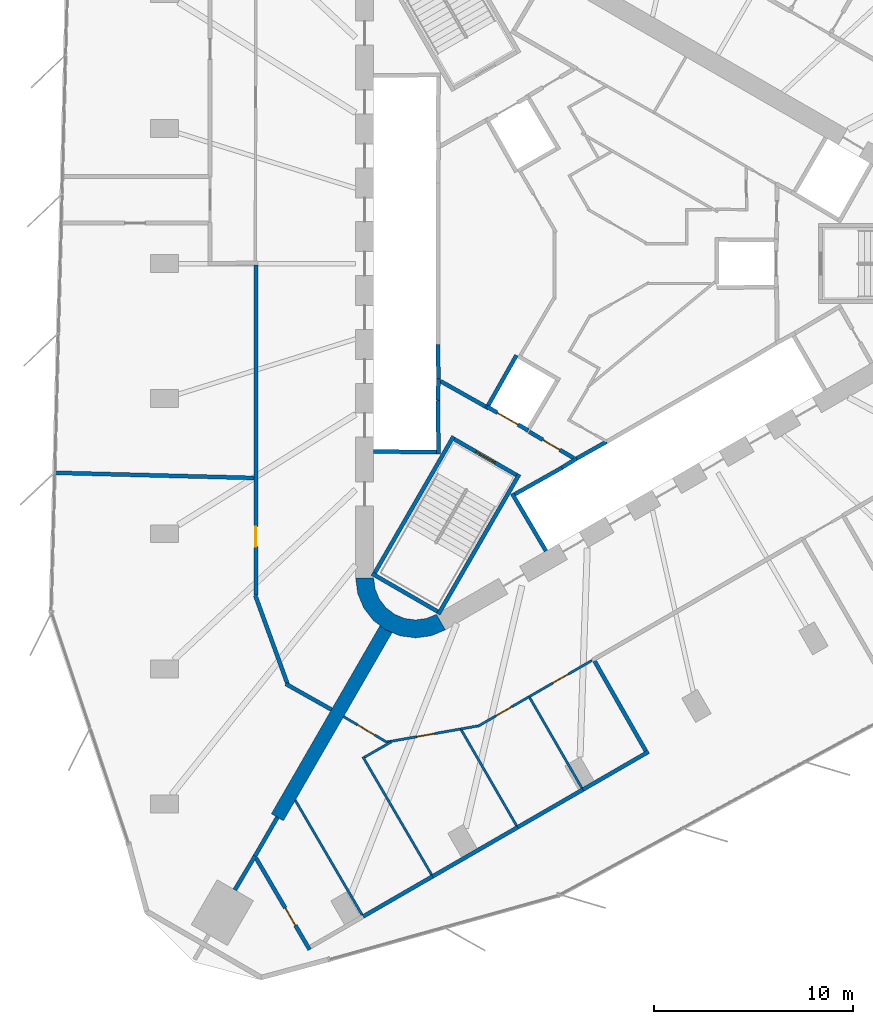
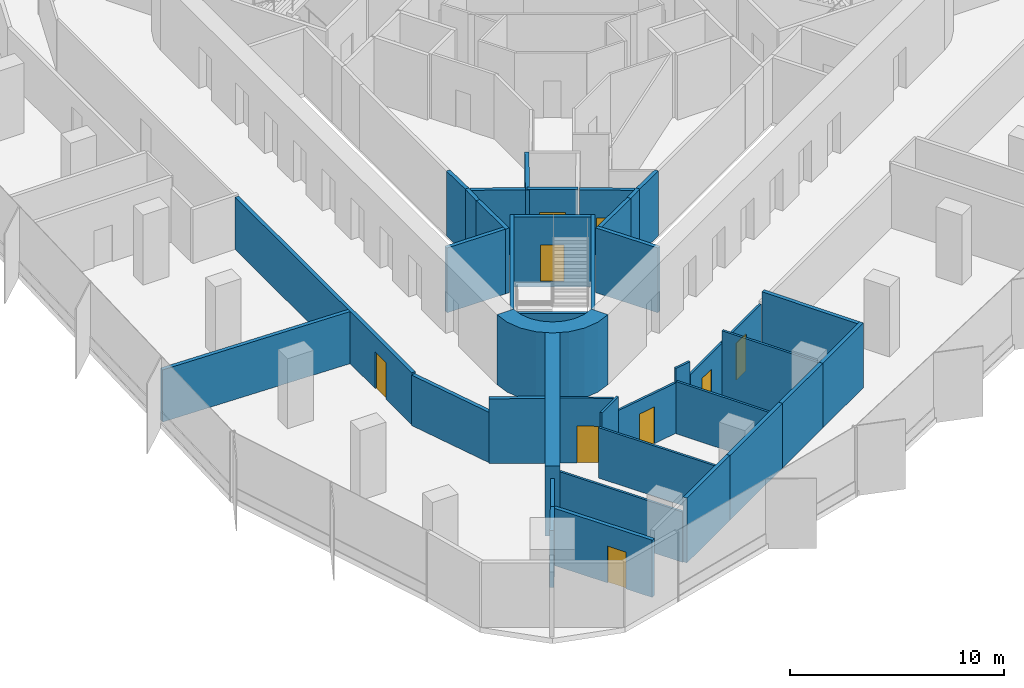
# One storey, part 8 of 14: 40 walls, 9 doors, 9 openings.
"""IFC4 building model written with IfcOpenShell, lengths in metres."""

from ifc_helpers import new_model, si_unit, direction, frame, frame_2d, origin, place, context, subcontext, project, spatial, polyline, rectangle, outline, extrude, material, layer, layer_set, type_object, element, fill, save


model = new_model("IFC4")

# Units and contexts
model_context = context("Model", 3, precision=1e-05, world=origin(), true_north=direction((0.0, 1.0)))
body_context = subcontext(model_context, "Body", "Model", "MODEL_VIEW")
ifc_project = project(units=[si_unit("LENGTHUNIT", "METRE"), si_unit("AREAUNIT", "SQUARE_METRE"), si_unit("VOLUMEUNIT", "CUBIC_METRE"), si_unit("PLANEANGLEUNIT", "RADIAN"), si_unit("MASSUNIT", "GRAM", prefix="KILO")], contexts=[model_context])

# Site, building, storey
site_placement = place(None, origin())
site = spatial("IfcSite", under=ifc_project, at=site_placement, CompositionType="ELEMENT")
building_placement = place(site_placement, origin())
building = spatial("IfcBuilding", under=site, at=building_placement, Name="Tanit Gate Tower", CompositionType="ELEMENT")
storey_placement = place(building_placement, frame((0.0, 0.0, 249.199951171875)))
storey = spatial("IfcBuildingStorey", under=building, at=storey_placement, Name="L56", CompositionType="ELEMENT", Elevation=249.199951171875)

# Walls
ifc_material_1 = material(Name="Concrete C50/60", Category="concrete")
ifc_layer_1 = layer(ifc_material_1, 0.699951171875)
ifc_layer_set_1 = layer_set([ifc_layer_1], Name="BUTTRESS FIN 700 C50/60")
wall_type_1 = type_object("IfcWallType", Name="BUTTRESS FIN 700 C50/60", PredefinedType="SHEAR", material=ifc_layer_set_1)
wall_1_placement = place(storey_placement, frame((-10.574951171875, -18.31640625, 0.0), z_axis=(0.0, 0.0, 1.0), x_axis=(-0.500002931134, -0.866023711487, 0.0)))
element("IfcWall", 1, at=wall_1_placement, inside=storey, type_object=wall_type_1, Name="BUTTRESS FIN", PredefinedType="SHEAR", context=body_context, shape_type="SweptSolid", body=[
    extrude(rectangle(XDim=10.900390625, YDim=0.699951171875, at=frame_2d((5.4501953125, 0.0))), origin(), (0.0, 0.0, 1.0), 4.0),
])
ifc_material_2 = material(Name="Concrete C50/60", Category="concrete")
ifc_layer_2 = layer(ifc_material_2, 0.89990234375)
ifc_layer_set_2 = layer_set([ifc_layer_2], Name="CORE WALL 900 C50/60")
wall_type_2 = type_object("IfcWallType", Name="CORE WALL 900 C50/60", PredefinedType="SHEAR", material=ifc_layer_set_2)
wall_2_placement = place(storey_placement, origin())
element("IfcWall", 2, at=wall_2_placement, inside=storey, type_object=wall_type_2, Name="CORE WALL CORNER", PredefinedType="SHEAR", context=body_context, shape_type="SweptSolid", body=[
    extrude(outline(polyline([(-12.10009765625, -15.76171875), (-11.997802734375, -16.5380859375), (-11.697998046875, -17.26171875), (-11.22119140625, -17.883056640625), (-10.60009765625, -18.359619140625), (-9.87646484375, -18.659423828125), (-9.10009765625, -18.76171875), (-8.323486328125, -18.659423828125), (-7.60009765625, -18.359619140625), (-8.050048828125, -17.580322265625), (-8.556396484375, -17.7900390625), (-9.10009765625, -17.86181640625), (-9.6435546875, -17.7900390625), (-10.14990234375, -17.580322265625), (-10.5849609375, -17.24658203125), (-10.918701171875, -16.811767578125), (-11.12841796875, -16.30517578125), (-11.199951171875, -15.76171875), (-12.10009765625, -15.76171875)])), origin(), (0.0, 0.0, 1.0), 4.0),
])
ifc_material_3 = material(Name="Fire-rated gypsum board partition")
ifc_layer_3 = layer(ifc_material_3, 0.199951171875)
ifc_layer_set_3 = layer_set([ifc_layer_3], Name="INT-WALL-COMPARTMENT")
wall_type_3 = type_object("IfcWallType", Name="INT-WALL-COMPARTMENT", PredefinedType="PARTITIONING", material=ifc_layer_set_3)
wall_3_placement = place(storey_placement, frame((-7.84912109375, -5.893798828125, 0.0), z_axis=(0.0, 0.0, 1.0), x_axis=(0.871340486379, -0.490678873396, 0.0)))
element("IfcWall", 3, at=wall_3_placement, inside=storey, type_object=wall_type_3, Name="Wall Compartment W063", PredefinedType="PARTITIONING", context=body_context, shape_type="SweptSolid", body=[
    extrude(rectangle(XDim=2.580810546875, YDim=0.199951171875, at=frame_2d((1.29052734375, 0.0))), origin(), (0.0, 0.0, 1.0), 3.699951171875),
])

# Wall, opening, door
wall_4_placement = place(storey_placement, frame((-3.400634765625, -8.43017578125, 0.0), z_axis=(0.0, 0.0, 1.0), x_axis=(0.860598681535, -0.509283721849, 0.0)))
wall_4 = element("IfcWall", 4, at=wall_4_placement, inside=storey, type_object=wall_type_3, Name="Wall Compartment W064", PredefinedType="PARTITIONING", context=body_context, shape_type="SweptSolid", body=[
    extrude(rectangle(XDim=2.5810546875, YDim=0.199951171875, at=frame_2d((1.29052734375, 0.0))), origin(), (0.0, 0.0, 1.0), 3.699951171875),
])
opening_1_placement = place(wall_4_placement, frame((0.79052734375, 0.0, 0.0)))
opening_1 = element("IfcOpeningElement", 5, at=opening_1_placement, cuts=wall_4, Name="Opening F10-S15-08", PredefinedType="OPENING", context=body_context, shape_type="SweptSolid", body=[
    extrude(rectangle(XDim=1.0, YDim=2.10009765625, at=frame_2d((0.5, 1.050048828125))), frame((0.0, 0.10986328125, 0.0), z_axis=(0.0, -1.0, 0.0), x_axis=(1.0, 0.0, 0.0)), (0.0, 0.0, 1.0), 0.219970703125),
])
ifc_material_4 = material(Name="Fire-rated steel door leaf", Category="steel")
door_type_1 = type_object("IfcDoorType", Name="INT-DOOR-FIRE-1000", OperationType="NOTDEFINED", PredefinedType="USERDEFINED", material=ifc_material_4)
door_1_placement = place(opening_1_placement, origin())
door_1 = element("IfcDoor", 6, at=door_1_placement, inside=storey, type_object=door_type_1, Name="Door F10-S15-08", ObjectType="FIRE DOOR", OperationType="SINGLE_SWING_LEFT", OverallHeight=2.10009765625, OverallWidth=1.0, PredefinedType="USERDEFINED", context=body_context, shape_type="SweptSolid", body=[
    extrude(rectangle(XDim=1.0, YDim=2.10009765625, at=frame_2d((0.5, 1.050048828125))), frame((0.0, 0.02490234375, 0.0), z_axis=(0.0, -1.0, 0.0), x_axis=(1.0, 0.0, 0.0)), (0.0, 0.0, 1.0), 0.050048828125),
])
fill(opening_1, door_1)

# Walls
wall_5_placement = place(storey_placement, frame((-15.597900390625, -21.071533203125, 0.0), z_axis=(0.0, 0.0, 1.0), x_axis=(0.871234731294, -0.490866624438, 0.0)))
element("IfcWall", 7, at=wall_5_placement, inside=storey, type_object=wall_type_3, Name="Wall Compartment W098", PredefinedType="PARTITIONING", context=body_context, shape_type="SweptSolid", body=[
    extrude(rectangle(XDim=2.62255859375, YDim=0.199951171875, at=frame_2d((1.311279296875, 0.0))), origin(), (0.0, 0.0, 1.0), 3.699951171875),
])
wall_6_placement = place(storey_placement, frame((-17.13427734375, -16.628662109375, 0.0), z_axis=(0.0, 0.0, 1.0), x_axis=(0.342036655594, -0.939686610647, 0.0)))
element("IfcWall", 8, at=wall_6_placement, inside=storey, type_object=wall_type_3, Name="Wall Compartment W099", PredefinedType="PARTITIONING", context=body_context, shape_type="SweptSolid", body=[
    extrude(rectangle(XDim=4.740234375, YDim=0.199951171875, at=frame_2d((2.3701171875, 0.0))), origin(), (0.0, 0.0, 1.0), 2.880126953125),
])

# Wall, opening, door
wall_7_placement = place(storey_placement, frame((-17.10009765625, -0.070068359375, 0.0), z_axis=(0.0, 0.0, 1.0), x_axis=(0.0, -1.0, 0.0)))
wall_7 = element("IfcWall", 9, at=wall_7_placement, inside=storey, type_object=wall_type_3, Name="Wall Compartment W101", PredefinedType="PARTITIONING", context=body_context, shape_type="SweptSolid", body=[
    extrude(rectangle(XDim=16.552490234375, YDim=0.199951171875, at=frame_2d((8.2763671875, 0.0))), origin(), (0.0, 0.0, 1.0), 2.97998046875),
])
opening_2_placement = place(wall_7_placement, frame((13.115478515625, 0.0, 0.0)))
opening_2 = element("IfcOpeningElement", 10, at=opening_2_placement, cuts=wall_7, Name="Opening F10-S15-31", PredefinedType="OPENING", context=body_context, shape_type="SweptSolid", body=[
    extrude(rectangle(XDim=1.0, YDim=2.10009765625, at=frame_2d((0.5, 1.050048828125))), frame((0.0, 0.10986328125, 0.0), z_axis=(0.0, -1.0, 0.0), x_axis=(1.0, 0.0, 0.0)), (0.0, 0.0, 1.0), 0.219970703125),
])
door_2_placement = place(opening_2_placement, origin())
door_2 = element("IfcDoor", 11, at=door_2_placement, inside=storey, type_object=door_type_1, Name="Door F10-S15-31", ObjectType="FIRE DOOR", OperationType="SINGLE_SWING_LEFT", OverallHeight=2.10009765625, OverallWidth=1.0, PredefinedType="USERDEFINED", context=body_context, shape_type="SweptSolid", body=[
    extrude(rectangle(XDim=1.0, YDim=2.10009765625, at=frame_2d((0.5, 1.050048828125))), frame((0.0, 0.02490234375, 0.0), z_axis=(0.0, -1.0, 0.0), x_axis=(1.0, 0.0, 0.0)), (0.0, 0.0, 1.0), 0.050048828125),
])
fill(opening_2, door_2)

# Walls
wall_8_placement = place(storey_placement, frame((-17.199951171875, -10.745849609375, 0.0), z_axis=(0.0, 0.0, 1.0), x_axis=(-0.9996635128, 0.025939567783, 0.0)))
element("IfcWall", 12, at=wall_8_placement, inside=storey, type_object=wall_type_3, Name="Wall Compartment W125", PredefinedType="PARTITIONING", context=body_context, shape_type="SweptSolid", body=[
    extrude(rectangle(XDim=9.986083984375, YDim=0.199951171875, at=frame_2d((4.9931640625, 0.0))), origin(), (0.0, 0.0, 1.0), 2.97998046875),
])
wall_9_placement = place(storey_placement, frame((-17.148681640625, -29.7021484375, 0.0), z_axis=(0.0, 0.0, 1.0), x_axis=(0.500042241774, 0.866001014111, 0.0)))
element("IfcWall", 13, at=wall_9_placement, inside=storey, type_object=wall_type_3, Name="Wall Compartment W128", PredefinedType="PARTITIONING", context=body_context, shape_type="SweptSolid", body=[
    extrude(rectangle(XDim=2.246826171875, YDim=0.199951171875, at=frame_2d((1.12353515625, 0.0))), origin(), (0.0, 0.0, 1.0), 3.27001953125),
])
wall_10_placement = place(storey_placement, frame((-18.160888671875, -31.3955078125, 0.0), z_axis=(0.0, 0.0, 1.0), x_axis=(0.512692976909, 0.858572018778, 0.0)))
element("IfcWall", 14, at=wall_10_placement, inside=storey, type_object=wall_type_3, Name="Wall Compartment W127", PredefinedType="PARTITIONING", context=body_context, shape_type="SweptSolid", body=[
    extrude(rectangle(XDim=1.972900390625, YDim=0.199951171875, at=frame_2d((0.986328125, 0.0))), origin(), (0.0, 0.0, 1.0), 3.27001953125),
])
wall_11_placement = place(storey_placement, frame((2.579833984375, -24.46826171875, 0.0), z_axis=(0.0, 0.0, 1.0), x_axis=(-0.866042353438, -0.49997064119, 0.0)))
element("IfcWall", 15, at=wall_11_placement, inside=storey, type_object=wall_type_3, Name="Wall Compartment W145", PredefinedType="PARTITIONING", context=body_context, shape_type="SweptSolid", body=[
    extrude(rectangle(XDim=3.803466796875, YDim=0.199951171875, at=frame_2d((1.90185546875, 0.0))), origin(), (0.0, 0.0, 1.0), 3.699951171875),
])
wall_12_placement = place(storey_placement, frame((-0.714111328125, -26.369873046875, 0.0), z_axis=(0.0, 0.0, 1.0), x_axis=(-0.866008069365, -0.500030022893, 0.0)))
element("IfcWall", 16, at=wall_12_placement, inside=storey, type_object=wall_type_3, Name="Wall Compartment W147", PredefinedType="PARTITIONING", context=body_context, shape_type="SweptSolid", body=[
    extrude(rectangle(XDim=3.779052734375, YDim=0.199951171875, at=frame_2d((1.8896484375, 0.0))), origin(), (0.0, 0.0, 1.0), 3.699951171875),
])
wall_13_placement = place(storey_placement, frame((-3.98681640625, -28.259521484375, 0.0), z_axis=(0.0, 0.0, 1.0), x_axis=(-0.866025160694, -0.500000421045, 0.0)))
element("IfcWall", 17, at=wall_13_placement, inside=storey, type_object=wall_type_3, Name="Wall Compartment W148", PredefinedType="PARTITIONING", context=body_context, shape_type="SweptSolid", body=[
    extrude(rectangle(XDim=4.91650390625, YDim=0.199951171875, at=frame_2d((2.458251953125, 0.0))), origin(), (0.0, 0.0, 1.0), 3.699951171875),
])
wall_14_placement = place(storey_placement, frame((-8.24462890625, -30.7177734375, 0.0), z_axis=(0.0, 0.0, 1.0), x_axis=(-0.866039076139, -0.49997631804, 0.0)))
element("IfcWall", 18, at=wall_14_placement, inside=storey, type_object=wall_type_3, Name="Wall Compartment W149", PredefinedType="PARTITIONING", context=body_context, shape_type="SweptSolid", body=[
    extrude(rectangle(XDim=4.023681640625, YDim=0.199951171875, at=frame_2d((2.01171875, 0.0))), origin(), (0.0, 0.0, 1.0), 3.699951171875),
])
wall_15_placement = place(storey_placement, frame((2.443603515625, -24.431396484375, 0.0), z_axis=(0.0, 0.0, 1.0), x_axis=(-0.495153952563, 0.86880525048, 0.0)))
element("IfcWall", 19, at=wall_15_placement, inside=storey, type_object=wall_type_3, Name="Wall Compartment W146", PredefinedType="PARTITIONING", context=body_context, shape_type="SweptSolid", body=[
    extrude(rectangle(XDim=5.18017578125, YDim=0.199951171875, at=frame_2d((2.590087890625, 0.0))), origin(), (0.0, 0.0, 1.0), 3.699951171875),
])

# Wall, opening, door
wall_16_placement = place(storey_placement, frame((-17.092529296875, -29.803466796875, 0.0), z_axis=(0.0, 0.0, 1.0), x_axis=(0.504838763147, -0.863213660239, 0.0)))
wall_16 = element("IfcWall", 20, at=wall_16_placement, inside=storey, type_object=wall_type_3, Name="Wall Compartment W150", PredefinedType="PARTITIONING", context=body_context, shape_type="SweptSolid", body=[
    extrude(rectangle(XDim=5.315673828125, YDim=0.199951171875, at=frame_2d((2.65771484375, 0.0))), origin(), (0.0, 0.0, 1.0), 3.27001953125),
])
opening_3_placement = place(wall_16_placement, frame((2.89990234375, 0.0, 0.0)))
opening_3 = element("IfcOpeningElement", 21, at=opening_3_placement, cuts=wall_16, Name="Opening F10-S15-30", PredefinedType="OPENING", context=body_context, shape_type="SweptSolid", body=[
    extrude(rectangle(XDim=1.0, YDim=2.10009765625, at=frame_2d((0.5, 1.050048828125))), frame((0.0, 0.10986328125, 0.0), z_axis=(0.0, -1.0, 0.0), x_axis=(1.0, 0.0, 0.0)), (0.0, 0.0, 1.0), 0.219970703125),
])
door_3_placement = place(opening_3_placement, origin())
door_3 = element("IfcDoor", 22, at=door_3_placement, inside=storey, type_object=door_type_1, Name="Door F10-S15-30", ObjectType="FIRE DOOR", OperationType="SINGLE_SWING_RIGHT", OverallHeight=2.10009765625, OverallWidth=1.0, PredefinedType="USERDEFINED", context=body_context, shape_type="SweptSolid", body=[
    extrude(rectangle(XDim=1.0, YDim=2.10009765625, at=frame_2d((0.5, 1.050048828125))), frame((0.0, 0.02490234375, 0.0), z_axis=(0.0, -1.0, 0.0), x_axis=(1.0, 0.0, 0.0)), (0.0, 0.0, 1.0), 0.050048828125),
])
fill(opening_3, door_3)

ifc_material_5 = material(Name="Gypsum board partition")
ifc_layer_4 = layer(ifc_material_5, 0.1201171875)
ifc_layer_set_4 = layer_set([ifc_layer_4], Name="INT-WALL-PARTITION")
wall_type_4 = type_object("IfcWallType", Name="INT-WALL-PARTITION", PredefinedType="PARTITIONING", material=ifc_layer_set_4)
wall_17_placement = place(storey_placement, frame((-5.984130859375, -23.200439453125, 0.0), z_axis=(0.0, 0.0, 1.0), x_axis=(0.866005448672, 0.500034561676, 0.0)))
wall_17 = element("IfcWall", 23, at=wall_17_placement, inside=storey, type_object=wall_type_4, Name="Wall Partition W119", PredefinedType="PARTITIONING", context=body_context, shape_type="SweptSolid", body=[
    extrude(rectangle(XDim=2.979248046875, YDim=0.1201171875, at=frame_2d((1.48974609375, 0.0))), origin(), (0.0, 0.0, 1.0), 2.97998046875),
])
opening_4_placement = place(wall_17_placement, frame((1.069580078125, 0.0, 0.0)))
opening_4 = element("IfcOpeningElement", 24, at=opening_4_placement, cuts=wall_17, Name="Opening D09-S15-27", PredefinedType="OPENING", context=body_context, shape_type="SweptSolid", body=[
    extrude(rectangle(XDim=0.89990234375, YDim=2.10009765625, at=frame_2d((0.449951171875, 1.050048828125))), frame((0.0, 0.070068359375, 0.0), z_axis=(0.0, -1.0, 0.0), x_axis=(1.0, 0.0, 0.0)), (0.0, 0.0, 1.0), 0.14013671875),
])
ifc_material_6 = material(Name="Timber door leaf", Category="wood")
door_type_2 = type_object("IfcDoorType", Name="INT-DOOR-SINGLE-900", OperationType="NOTDEFINED", PredefinedType="NOTDEFINED", material=ifc_material_6)
door_4_placement = place(opening_4_placement, origin())
door_4 = element("IfcDoor", 25, at=door_4_placement, inside=storey, type_object=door_type_2, Name="Door D09-S15-27", OperationType="SINGLE_SWING_RIGHT", OverallHeight=2.10009765625, OverallWidth=0.89990234375, PredefinedType="NOTDEFINED", context=body_context, shape_type="SweptSolid", body=[
    extrude(rectangle(XDim=0.89990234375, YDim=2.10009765625, at=frame_2d((0.449951171875, 1.050048828125))), frame((0.0, 0.02490234375, 0.0), z_axis=(0.0, -1.0, 0.0), x_axis=(1.0, 0.0, 0.0)), (0.0, 0.0, 1.0), 0.050048828125),
])
fill(opening_4, door_4)

wall_18_placement = place(storey_placement, frame((-3.404052734375, -21.710693359375, 0.0), z_axis=(0.0, 0.0, 1.0), x_axis=(0.866022210963, 0.500005530088, 0.0)))
wall_18 = element("IfcWall", 26, at=wall_18_placement, inside=storey, type_object=wall_type_4, Name="Wall Partition W118", PredefinedType="PARTITIONING", context=body_context, shape_type="SweptSolid", body=[
    extrude(rectangle(XDim=3.63330078125, YDim=0.1201171875, at=frame_2d((1.816650390625, 0.0))), origin(), (0.0, 0.0, 1.0), 2.97998046875),
])
opening_5_placement = place(wall_18_placement, frame((1.36669921875, 0.0, 0.0)))
opening_5 = element("IfcOpeningElement", 27, at=opening_5_placement, cuts=wall_18, Name="Opening D09-S15-26", PredefinedType="OPENING", context=body_context, shape_type="SweptSolid", body=[
    extrude(rectangle(XDim=0.89990234375, YDim=2.10009765625, at=frame_2d((0.449951171875, 1.050048828125))), frame((0.0, 0.070068359375, 0.0), z_axis=(0.0, -1.0, 0.0), x_axis=(1.0, 0.0, 0.0)), (0.0, 0.0, 1.0), 0.14013671875),
])
door_5_placement = place(opening_5_placement, origin())
door_5 = element("IfcDoor", 28, at=door_5_placement, inside=storey, type_object=door_type_2, Name="Door D09-S15-26", OperationType="SINGLE_SWING_LEFT", OverallHeight=2.10009765625, OverallWidth=0.89990234375, PredefinedType="NOTDEFINED", context=body_context, shape_type="SweptSolid", body=[
    extrude(rectangle(XDim=0.89990234375, YDim=2.10009765625, at=frame_2d((0.449951171875, 1.050048828125))), frame((0.0, 0.02490234375, 0.0), z_axis=(0.0, -1.0, 0.0), x_axis=(1.0, 0.0, 0.0)), (0.0, 0.0, 1.0), 0.050048828125),
])
fill(opening_5, door_5)

wall_19_placement = place(storey_placement, frame((-10.5498046875, -23.984619140625, 0.0), z_axis=(0.0, 0.0, 1.0), x_axis=(0.984807711093, 0.1736484154, 0.0)))
wall_19 = element("IfcWall", 29, at=wall_19_placement, inside=storey, type_object=wall_type_4, Name="Wall Partition W121", PredefinedType="PARTITIONING", context=body_context, shape_type="SweptSolid", body=[
    extrude(rectangle(XDim=3.763671875, YDim=0.1201171875, at=frame_2d((1.8818359375, 0.0))), origin(), (0.0, 0.0, 1.0), 2.880126953125),
])
opening_6_placement = place(wall_19_placement, frame((1.539794921875, 0.0, 0.0)))
opening_6 = element("IfcOpeningElement", 30, at=opening_6_placement, cuts=wall_19, Name="Opening D09-S15-28", PredefinedType="OPENING", context=body_context, shape_type="SweptSolid", body=[
    extrude(rectangle(XDim=0.89990234375, YDim=2.10009765625, at=frame_2d((0.449951171875, 1.050048828125))), frame((0.0, 0.070068359375, 0.0), z_axis=(0.0, -1.0, 0.0), x_axis=(1.0, 0.0, 0.0)), (0.0, 0.0, 1.0), 0.14013671875),
])
door_6_placement = place(opening_6_placement, origin())
door_6 = element("IfcDoor", 31, at=door_6_placement, inside=storey, type_object=door_type_2, Name="Door D09-S15-28", OperationType="SINGLE_SWING_LEFT", OverallHeight=2.10009765625, OverallWidth=0.89990234375, PredefinedType="NOTDEFINED", context=body_context, shape_type="SweptSolid", body=[
    extrude(rectangle(XDim=0.89990234375, YDim=2.10009765625, at=frame_2d((0.449951171875, 1.050048828125))), frame((0.0, 0.02490234375, 0.0), z_axis=(0.0, -1.0, 0.0), x_axis=(1.0, 0.0, 0.0)), (0.0, 0.0, 1.0), 0.050048828125),
])
fill(opening_6, door_6)

# Wall
wall_20_placement = place(storey_placement, frame((-6.84326171875, -23.3310546875, 0.0), z_axis=(0.0, 0.0, 1.0), x_axis=(0.98477787699, 0.173817527858, 0.0)))
element("IfcWall", 32, at=wall_20_placement, inside=storey, type_object=wall_type_4, Name="Wall Partition W120", PredefinedType="PARTITIONING", context=body_context, shape_type="SweptSolid", body=[
    extrude(rectangle(XDim=0.865234375, YDim=0.1201171875, at=frame_2d((0.4326171875, 0.0))), origin(), (0.0, 0.0, 1.0), 3.699951171875),
])

# Wall, opening, door
wall_21_placement = place(storey_placement, frame((-12.706787109375, -22.708984375, 0.0), z_axis=(0.0, 0.0, 1.0), x_axis=(0.860742216303, -0.509041095663, 0.0)))
wall_21 = element("IfcWall", 33, at=wall_21_placement, inside=storey, type_object=wall_type_4, Name="Wall Partition W122", PredefinedType="PARTITIONING", context=body_context, shape_type="SweptSolid", body=[
    extrude(rectangle(XDim=2.505859375, YDim=0.1201171875, at=frame_2d((1.2529296875, 0.0))), origin(), (0.0, 0.0, 1.0), 3.699951171875),
])
opening_7_placement = place(wall_21_placement, frame((0.802978515625, 0.0, 0.0)))
opening_7 = element("IfcOpeningElement", 34, at=opening_7_placement, cuts=wall_21, Name="Opening D10-S15-29", PredefinedType="OPENING", context=body_context, shape_type="SweptSolid", body=[
    extrude(rectangle(XDim=1.0, YDim=2.10009765625, at=frame_2d((0.5, 1.050048828125))), frame((0.0, 0.070068359375, 0.0), z_axis=(0.0, -1.0, 0.0), x_axis=(1.0, 0.0, 0.0)), (0.0, 0.0, 1.0), 0.14013671875),
])
ifc_material_7 = material(Name="Timber door leaf", Category="wood")
door_type_3 = type_object("IfcDoorType", Name="INT-DOOR-SINGLE-1000", OperationType="NOTDEFINED", PredefinedType="NOTDEFINED", material=ifc_material_7)
door_7_placement = place(opening_7_placement, origin())
door_7 = element("IfcDoor", 35, at=door_7_placement, inside=storey, type_object=door_type_3, Name="Door D10-S15-29", OperationType="SINGLE_SWING_LEFT", OverallHeight=2.10009765625, OverallWidth=1.0, PredefinedType="NOTDEFINED", context=body_context, shape_type="SweptSolid", body=[
    extrude(rectangle(XDim=1.0, YDim=2.10009765625, at=frame_2d((0.5, 1.050048828125))), frame((0.0, 0.02490234375, 0.0), z_axis=(0.0, -1.0, 0.0), x_axis=(1.0, 0.0, 0.0)), (0.0, 0.0, 1.0), 0.050048828125),
])
fill(opening_7, door_7)

# Walls
wall_22_placement = place(storey_placement, frame((-0.76416015625, -26.283447265625, 0.0), z_axis=(0.0, 0.0, 1.0), x_axis=(-0.499972115377, 0.86604150238, 0.0)))
element("IfcWall", 36, at=wall_22_placement, inside=storey, type_object=wall_type_4, Name="Wall Partition W155", PredefinedType="PARTITIONING", context=body_context, shape_type="SweptSolid", body=[
    extrude(rectangle(XDim=5.219970703125, YDim=0.1201171875, at=frame_2d((2.60986328125, 0.0))), origin(), (0.0, 0.0, 1.0), 3.699951171875),
])
wall_23_placement = place(storey_placement, frame((-4.036865234375, -28.1728515625, 0.0), z_axis=(0.0, 0.0, 1.0), x_axis=(-0.500014212531, 0.86601719802, 0.0)))
element("IfcWall", 37, at=wall_23_placement, inside=storey, type_object=wall_type_4, Name="Wall Partition W156", PredefinedType="PARTITIONING", context=body_context, shape_type="SweptSolid", body=[
    extrude(rectangle(XDim=5.529052734375, YDim=0.1201171875, at=frame_2d((2.7646484375, 0.0))), origin(), (0.0, 0.0, 1.0), 2.97998046875),
])
wall_24_placement = place(storey_placement, frame((-8.294921875, -30.63134765625, 0.0), z_axis=(0.0, 0.0, 1.0), x_axis=(-0.503768936745, 0.863838444601, 0.0)))
element("IfcWall", 38, at=wall_24_placement, inside=storey, type_object=wall_type_4, Name="Wall Partition W157", PredefinedType="PARTITIONING", context=body_context, shape_type="SweptSolid", body=[
    extrude(rectangle(XDim=6.840087890625, YDim=0.1201171875, at=frame_2d((3.419921875, 0.0))), origin(), (0.0, 0.0, 1.0), 2.880126953125),
])
wall_25_placement = place(storey_placement, frame((-10.331298828125, -23.983642578125, 0.0), z_axis=(0.0, 0.0, 1.0), x_axis=(-0.867505637863, -0.497427349746, 0.0)))
element("IfcWall", 39, at=wall_25_placement, inside=storey, type_object=wall_type_4, Name="Wall Partition W158", PredefinedType="PARTITIONING", context=body_context, shape_type="SweptSolid", body=[
    extrude(rectangle(XDim=1.52978515625, YDim=0.1201171875, at=frame_2d((0.764892578125, 0.0))), origin(), (0.0, 0.0, 1.0), 3.699951171875),
])
wall_26_placement = place(storey_placement, frame((-15.127685546875, -26.902099609375, 0.0), z_axis=(0.0, 0.0, 1.0), x_axis=(0.503743114679, -0.863853502866, 0.0)))
element("IfcWall", 40, at=wall_26_placement, inside=storey, type_object=wall_type_4, Name="Wall Partition W159", PredefinedType="PARTITIONING", context=body_context, shape_type="SweptSolid", body=[
    extrude(rectangle(XDim=6.64599609375, YDim=0.1201171875, at=frame_2d((3.322998046875, 0.0))), origin(), (0.0, 0.0, 1.0), 2.880126953125),
])
ifc_material_8 = material(Name="Gypsum shaft wall system")
ifc_layer_5 = layer(ifc_material_8, 0.199951171875)
ifc_layer_set_5 = layer_set([ifc_layer_5], Name="INT-WALL-SHAFT")
wall_type_5 = type_object("IfcWallType", Name="INT-WALL-SHAFT", PredefinedType="PLUMBINGWALL", material=ifc_layer_set_5)
wall_27_placement = place(storey_placement, frame((-7.949951171875, -5.7724609375, 0.0), z_axis=(0.0, 0.0, 1.0), x_axis=(-0.030803413295, -0.999525462272, 0.0)))
element("IfcWall", 41, at=wall_27_placement, inside=storey, type_object=wall_type_5, Name="Wall Shaft W008", PredefinedType="PLUMBINGWALL", context=body_context, shape_type="SweptSolid", body=[
    extrude(rectangle(XDim=1.077880859375, YDim=0.199951171875, at=frame_2d((0.5390625, 0.0))), origin(), (0.0, 0.0, 1.0), 3.699951171875),
])
wall_28_placement = place(storey_placement, frame((-7.97998046875, -4.050048828125, 0.0), z_axis=(0.0, 0.0, 1.0), x_axis=(0.016809909365, -0.999858703491, 0.0)))
element("IfcWall", 42, at=wall_28_placement, inside=storey, type_object=wall_type_5, Name="Wall Shaft W009", PredefinedType="PLUMBINGWALL", context=body_context, shape_type="SweptSolid", body=[
    extrude(rectangle(XDim=1.844482421875, YDim=0.199951171875, at=frame_2d((0.92236328125, 0.0))), origin(), (0.0, 0.0, 1.0), 3.699951171875),
])
wall_29_placement = place(storey_placement, frame((-7.97900390625, -6.85009765625, 0.0), z_axis=(0.0, 0.0, 1.0), x_axis=(0.011121475088, -0.999938154483, 0.0)))
element("IfcWall", 43, at=wall_29_placement, inside=storey, type_object=wall_type_5, Name="Wall Shaft W010", PredefinedType="PLUMBINGWALL", context=body_context, shape_type="SweptSolid", body=[
    extrude(rectangle(XDim=2.7001953125, YDim=0.199951171875, at=frame_2d((1.35009765625, 0.0))), origin(), (0.0, 0.0, 1.0), 3.699951171875),
])
wall_30_placement = place(storey_placement, frame((-8.050048828125, -9.448974609375, 0.0), z_axis=(0.0, 0.0, 1.0), x_axis=(-0.999957467379, 0.009222983926, 0.0)))
element("IfcWall", 44, at=wall_30_placement, inside=storey, type_object=wall_type_5, Name="Wall Shaft W011", PredefinedType="PLUMBINGWALL", context=body_context, shape_type="SweptSolid", body=[
    extrude(rectangle(XDim=3.150146484375, YDim=0.199951171875, at=frame_2d((1.5751953125, 0.0))), origin(), (0.0, 0.0, 1.0), 3.699951171875),
])
wall_31_placement = place(storey_placement, frame((-2.557861328125, -14.409423828125, 0.0), z_axis=(0.0, 0.0, 1.0), x_axis=(-0.507997497166, 0.861358544901, 0.0)))
element("IfcWall", 45, at=wall_31_placement, inside=storey, type_object=wall_type_5, Name="Wall Shaft W019", PredefinedType="PLUMBINGWALL", context=body_context, shape_type="SweptSolid", body=[
    extrude(rectangle(XDim=3.350341796875, YDim=0.199951171875, at=frame_2d((1.67529296875, 0.0))), origin(), (0.0, 0.0, 1.0), 3.699951171875),
])
wall_32_placement = place(storey_placement, frame((-1.7685546875, -10.23681640625, 0.0), z_axis=(0.0, 0.0, 1.0), x_axis=(-0.871534483978, -0.490334215854, 0.0)))
element("IfcWall", 46, at=wall_32_placement, inside=storey, type_object=wall_type_5, Name="Wall Shaft W020", PredefinedType="PLUMBINGWALL", context=body_context, shape_type="SweptSolid", body=[
    extrude(rectangle(XDim=2.7001953125, YDim=0.199951171875, at=frame_2d((1.35009765625, 0.0))), origin(), (0.0, 0.0, 1.0), 3.699951171875),
])
wall_33_placement = place(storey_placement, frame((-1.02392578125, -9.77099609375, 0.0), z_axis=(0.0, 0.0, 1.0), x_axis=(-0.850348075135, -0.526220629693, 0.0)))
element("IfcWall", 47, at=wall_33_placement, inside=storey, type_object=wall_type_5, Name="Wall Shaft W021", PredefinedType="PLUMBINGWALL", context=body_context, shape_type="SweptSolid", body=[
    extrude(rectangle(XDim=0.878173828125, YDim=0.199951171875, at=frame_2d((0.43896484375, 0.0))), origin(), (0.0, 0.0, 1.0), 3.699951171875),
])
wall_34_placement = place(storey_placement, frame((-1.13037109375, -9.83154296875, 0.0), z_axis=(0.0, 0.0, 1.0), x_axis=(0.871988740738, 0.489525929882, 0.0)))
element("IfcWall", 48, at=wall_34_placement, inside=storey, type_object=wall_type_5, Name="Wall Shaft W022", PredefinedType="PLUMBINGWALL", context=body_context, shape_type="SweptSolid", body=[
    extrude(rectangle(XDim=1.8447265625, YDim=0.199951171875, at=frame_2d((0.92236328125, 0.0))), origin(), (0.0, 0.0, 1.0), 3.699951171875),
])

# Wall, opening, door
wall_35_placement = place(storey_placement, frame((-3.44580078125, -8.3681640625, 0.0), z_axis=(0.0, 0.0, 1.0), x_axis=(-0.866024647952, 0.500001309137, 0.0)))
wall_35 = element("IfcWall", 49, at=wall_35_placement, inside=storey, type_object=wall_type_5, Name="Wall Shaft W045", PredefinedType="PLUMBINGWALL", context=body_context, shape_type="SweptSolid", body=[
    extrude(rectangle(XDim=2.39990234375, YDim=0.199951171875, at=frame_2d((1.199951171875, 0.0))), origin(), (0.0, 0.0, 1.0), 3.699951171875),
])
opening_8_placement = place(wall_35_placement, frame((0.60009765625, 0.0, 0.0)))
opening_8 = element("IfcOpeningElement", 50, at=opening_8_placement, cuts=wall_35, Name="Opening LDFL3-L56", PredefinedType="OPENING", context=body_context, shape_type="SweptSolid", body=[
    extrude(rectangle(XDim=1.199951171875, YDim=2.39990234375, at=frame_2d((0.60009765625, 1.199951171875))), frame((0.0, 0.10986328125, 0.0), z_axis=(0.0, -1.0, 0.0), x_axis=(1.0, 0.0, 0.0)), (0.0, 0.0, 1.0), 0.219970703125),
])
ifc_material_9 = material(Name="Stainless steel sliding door leaf", Category="steel")
door_type_4 = type_object("IfcDoorType", Name="INT-DOOR-LANDING-1200", OperationType="NOTDEFINED", PredefinedType="USERDEFINED", material=ifc_material_9)
door_8_placement = place(opening_8_placement, origin())
door_8 = element("IfcDoor", 51, at=door_8_placement, inside=storey, type_object=door_type_4, Name="Door LDFL3-L56", ObjectType="LANDING DOOR", OperationType="SLIDING_TO_LEFT", OverallHeight=2.39990234375, OverallWidth=1.199951171875, PredefinedType="USERDEFINED", context=body_context, shape_type="SweptSolid", body=[
    extrude(rectangle(XDim=1.199951171875, YDim=2.39990234375, at=frame_2d((0.60009765625, 1.199951171875))), frame((0.0, 0.02490234375, 0.0), z_axis=(0.0, -1.0, 0.0), x_axis=(1.0, 0.0, 0.0)), (0.0, 0.0, 1.0), 0.050048828125),
])
fill(opening_8, door_8)

# Walls
wall_36_placement = place(storey_placement, frame((-5.5625, -7.29638671875, 0.0), z_axis=(0.0, 0.0, 1.0), x_axis=(0.491322718731, 0.870977603649, 0.0)))
element("IfcWall", 52, at=wall_36_placement, inside=storey, type_object=wall_type_5, Name="Wall Shaft W046", PredefinedType="PLUMBINGWALL", context=body_context, shape_type="SweptSolid", body=[
    extrude(rectangle(XDim=3.10009765625, YDim=0.199951171875, at=frame_2d((1.550048828125, 0.0))), origin(), (0.0, 0.0, 1.0), 3.699951171875),
])
ifc_material_10 = material(Name="Concrete C40/50", Category="concrete")
ifc_layer_6 = layer(ifc_material_10, 0.199951171875)
ifc_layer_set_6 = layer_set([ifc_layer_6], Name="INT-WALL-STAIR")
wall_type_6 = type_object("IfcWallType", Name="INT-WALL-STAIR", PredefinedType="SHEAR", material=ifc_layer_set_6)
wall_37_placement = place(storey_placement, frame((-3.904541015625, -10.56298828125, -0.300048828125), z_axis=(0.0, 0.0, 1.0), x_axis=(-0.500012932018, -0.866017937352, 0.0)))
element("IfcWall", 53, at=wall_37_placement, inside=storey, type_object=wall_type_6, Name="Wall Stair W041", PredefinedType="SHEAR", context=body_context, shape_type="SweptSolid", body=[
    extrude(rectangle(XDim=8.099853515625, YDim=0.199951171875, at=frame_2d((4.0498046875, 0.0))), origin(), (0.0, 0.0, 1.0), 4.0),
])
wall_38_placement = place(storey_placement, frame((-11.281982421875, -15.541015625, -0.300048828125), z_axis=(0.0, 0.0, 1.0), x_axis=(0.866000483506, -0.500043160704, 0.0)))
element("IfcWall", 54, at=wall_38_placement, inside=storey, type_object=wall_type_6, Name="Wall Stair W042", PredefinedType="SHEAR", context=body_context, shape_type="SweptSolid", body=[
    extrude(rectangle(XDim=3.800048828125, YDim=0.199951171875, at=frame_2d((1.89990234375, 0.0))), origin(), (0.0, 0.0, 1.0), 4.0),
])
wall_39_placement = place(storey_placement, frame((-7.195556640625, -8.662841796875, -0.300048828125), z_axis=(0.0, 0.0, 1.0), x_axis=(-0.499997992926, -0.866026562566, 0.0)))
element("IfcWall", 55, at=wall_39_placement, inside=storey, type_object=wall_type_6, Name="Wall Stair W043", PredefinedType="SHEAR", context=body_context, shape_type="SweptSolid", body=[
    extrude(rectangle(XDim=7.89990234375, YDim=0.199951171875, at=frame_2d((3.949951171875, 0.0))), origin(), (0.0, 0.0, 1.0), 4.0),
])

# Wall, opening, door
wall_40_placement = place(storey_placement, frame((-4.041259765625, -10.599365234375, -0.300048828125), z_axis=(0.0, 0.0, 1.0), x_axis=(-0.866047807691, 0.499961193289, 0.0)))
wall_40 = element("IfcWall", 56, at=wall_40_placement, inside=storey, type_object=wall_type_6, Name="Wall Stair W044", PredefinedType="SHEAR", context=body_context, shape_type="SweptSolid", body=[
    extrude(rectangle(XDim=3.599853515625, YDim=0.199951171875, at=frame_2d((1.7998046875, 0.0))), origin(), (0.0, 0.0, 1.0), 4.0),
])
opening_9_placement = place(wall_40_placement, frame((1.25, 0.0, 0.300048828125)))
opening_9 = element("IfcOpeningElement", 57, at=opening_9_placement, cuts=wall_40, Name="Opening S11-S15-07", PredefinedType="OPENING", context=body_context, shape_type="SweptSolid", body=[
    extrude(rectangle(XDim=1.10009765625, YDim=2.10009765625, at=frame_2d((0.550048828125, 1.050048828125))), frame((0.0, 0.10986328125, 0.0), z_axis=(0.0, -1.0, 0.0), x_axis=(1.0, 0.0, 0.0)), (0.0, 0.0, 1.0), 0.219970703125),
])
ifc_material_11 = material(Name="Timber door leaf", Category="wood")
door_type_5 = type_object("IfcDoorType", Name="INT-DOOR-STAIR-1100", OperationType="NOTDEFINED", PredefinedType="USERDEFINED", material=ifc_material_11)
door_9_placement = place(opening_9_placement, origin())
door_9 = element("IfcDoor", 58, at=door_9_placement, inside=storey, type_object=door_type_5, Name="Door S11-S15-07", ObjectType="FIRE DOOR", OperationType="SINGLE_SWING_LEFT", OverallHeight=2.10009765625, OverallWidth=1.10009765625, PredefinedType="USERDEFINED", context=body_context, shape_type="SweptSolid", body=[
    extrude(rectangle(XDim=1.10009765625, YDim=2.10009765625, at=frame_2d((0.550048828125, 1.050048828125))), frame((0.0, 0.02490234375, 0.0), z_axis=(0.0, -1.0, 0.0), x_axis=(1.0, 0.0, 0.0)), (0.0, 0.0, 1.0), 0.050048828125),
])
fill(opening_9, door_9)

save(model, "model.ifc")
